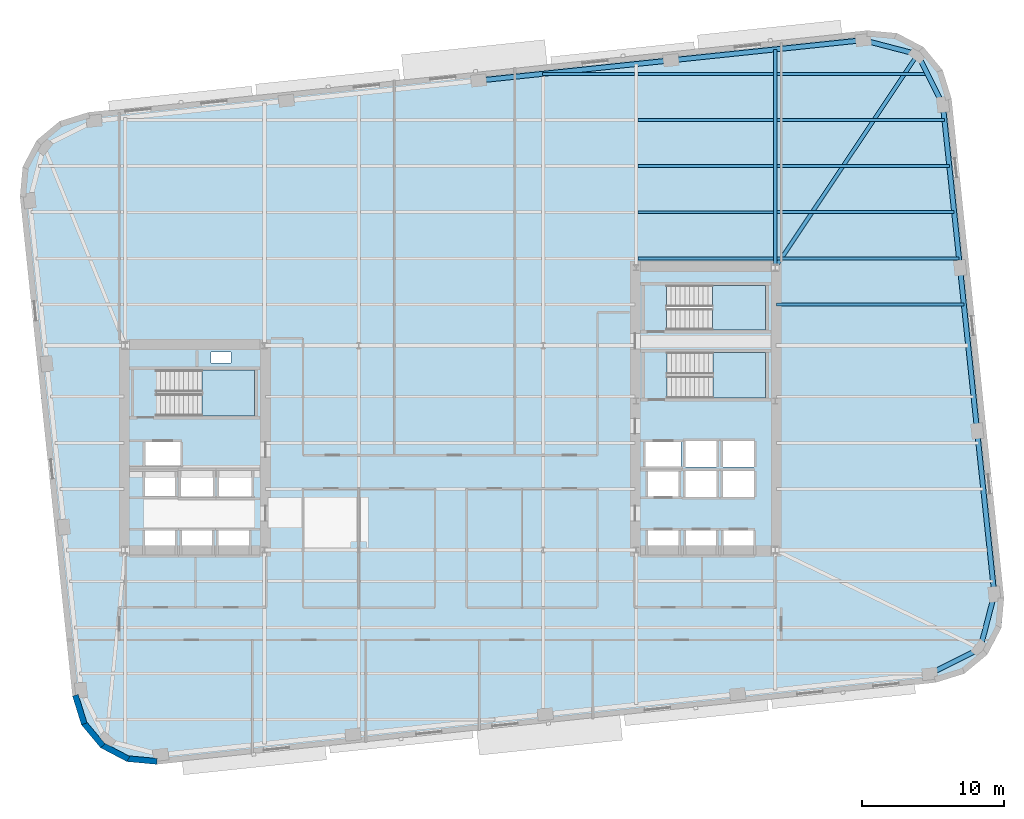
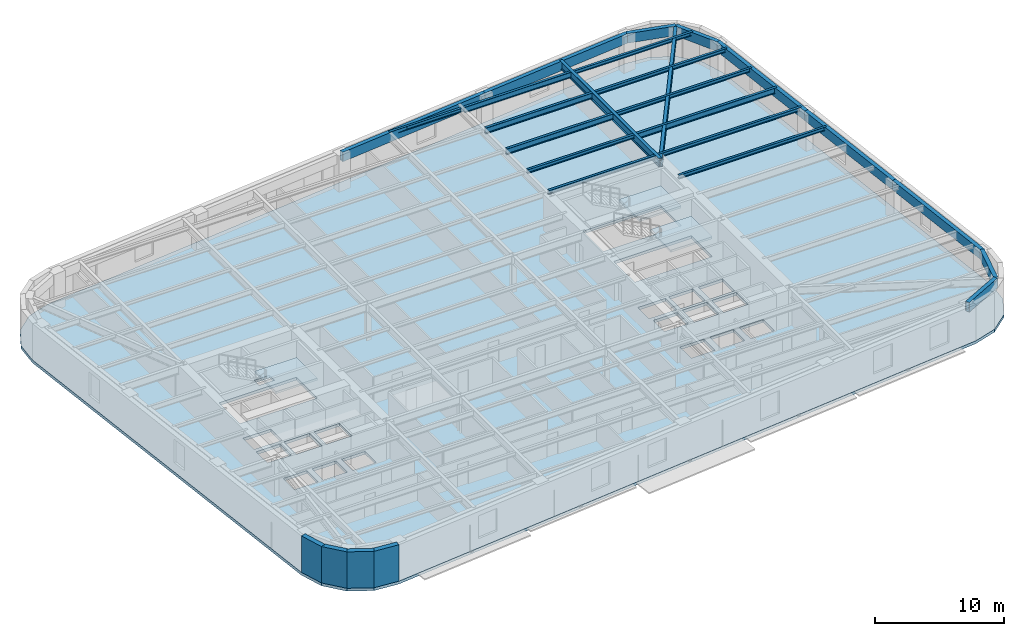
# One storey, part 3 of 11: 23 beams, 4 slabs, 4 walls, 3 elements without a shape of their own.
"""IFC4 building model written with IfcOpenShell, lengths in metres."""

from ifc_helpers import new_model, si_unit, direction, frame, frame_2d, origin, origin_2d, place, context, subcontext, project, spatial, polyline, rectangle, hollow_rectangle, i_section, outline, extrude, material, layer, layer_set, material_profile, profile_set, type_object, element, aggregate, save


model = new_model("IFC4")

# Units and contexts
model_context = context("Model", 3, precision=1e-05, world=origin(), true_north=direction((0.0, 1.0)))
body_context = subcontext(model_context, "Body", "Model", "MODEL_VIEW")
ifc_project = project(units=[si_unit("LENGTHUNIT", "METRE"), si_unit("AREAUNIT", "SQUARE_METRE"), si_unit("VOLUMEUNIT", "CUBIC_METRE"), si_unit("PLANEANGLEUNIT", "RADIAN"), si_unit("MASSUNIT", "GRAM", prefix="KILO")], contexts=[model_context])

# Site, building, storey
site_placement = place(None, origin())
site = spatial("IfcSite", under=ifc_project, at=site_placement, CompositionType="ELEMENT")
building_placement = place(site_placement, origin())
building = spatial("IfcBuilding", under=site, at=building_placement, Name="Kolvaren Arena Tower", CompositionType="ELEMENT")
storey_placement = place(building_placement, frame((0.0, 0.0, 122.199951171875)))
storey = spatial("IfcBuildingStorey", under=building, at=storey_placement, Name="L28", CompositionType="ELEMENT", Elevation=122.199951171875)

# Beams
ifc_material_1 = material(Name="Steel CSA G40.21 350W", Category="steel")
ifc_material_profile_1 = material_profile(ifc_material_1, i_section(OverallWidth=0.2119140625, OverallDepth=0.54296875, WebThickness=0.01318359375, FlangeThickness=0.0244140625, FilletRadius=0.013916015625, at=origin_2d()), Name="W530x150")
ifc_profile_set_1 = profile_set([ifc_material_profile_1], Name="Steel CSA G40.21 350W")
beam_type_1 = type_object("IfcBeamType", Name="BEAM-F1", PredefinedType="BEAM", material=ifc_profile_set_1)
beam_1_placement = place(storey_placement, frame((60.485107421875, 43.25, 3.16845703125), z_axis=(1.0, 0.0, 0.0), x_axis=(0.0, 1.0, 0.0)))
element("IfcBeam", 1, at=beam_1_placement, inside=storey, type_object=beam_type_1, Name="Composite Floor Beam (L28)", PredefinedType="BEAM", context=body_context, shape_type="SweptSolid", body=[
    extrude(i_section(OverallWidth=0.2119140625, OverallDepth=0.54296875, WebThickness=0.01318359375, FlangeThickness=0.0244140625, FilletRadius=0.013916015625, at=origin_2d()), origin(), (0.0, 0.0, 1.0), 12.471435546875),
])
for number, where, z_axis, x_axis, name in (
    (2, (50.68505859375, 46.5, 3.16845703125), (1.0, 0.0, 0.0), (0.0, 1.0, 0.0), "Composite Floor Beam (L28)"),
    (3, (50.68505859375, 49.75, 3.16845703125), (1.0, 0.0, 0.0), (0.0, 1.0, 0.0), "Composite Floor Beam (L28)"),
    (4, (50.68505859375, 53.0, 3.16845703125), (1.0, 0.0, 0.0), (0.0, 1.0, 0.0), "Composite Floor Beam (L28)"),
):
    element("IfcBeam", number, at=place(storey_placement, frame(where, z_axis=z_axis, x_axis=x_axis)), inside=storey, type_object=beam_type_1, Name=name, PredefinedType="BEAM", context=body_context, shape_type="SweptSolid", body=[
        extrude(i_section(OverallWidth=0.2119140625, OverallDepth=0.54296875, WebThickness=0.01318359375, FlangeThickness=0.0244140625, FilletRadius=0.013916015625, at=origin_2d()), origin(), (0.0, 0.0, 1.0), 9.530029296875),
    ])
ifc_material_profile_2 = material_profile(ifc_material_1, i_section(OverallWidth=0.27001953125, OverallDepth=0.77294921875, WebThickness=0.019287109375, FlangeThickness=0.033447265625, FilletRadius=0.01806640625, at=origin_2d()), Name="W760x257")
ifc_profile_set_2 = profile_set([ifc_material_profile_2], Name="Steel CSA G40.21 350W")
beam_type_2 = type_object("IfcBeamType", Name="GIRD-T1", PredefinedType="BEAM", material=ifc_profile_set_2)
beam_2_placement = place(storey_placement, frame((70.387939453125, 54.37939453125, 3.053466796875), z_axis=(-0.555401401293, -0.831582397266, 0.0), x_axis=(0.831582397266, -0.555401401293, 0.0)))
element("IfcBeam", 5, at=beam_2_placement, inside=storey, type_object=beam_type_2, Name="Corner Diagonal Tie Girder (L28)", PredefinedType="BEAM", context=body_context, shape_type="SweptSolid", body=[
    extrude(i_section(OverallWidth=0.27001953125, OverallDepth=0.77294921875, WebThickness=0.019287109375, FlangeThickness=0.033447265625, FilletRadius=0.01806640625, at=origin_2d()), origin(), (0.0, 0.0, 1.0), 18.0732421875),
])
beam_3_placement = place(storey_placement, frame((60.35009765625, 39.405029296875, 3.053466796875), z_axis=(0.0, 1.0, 0.0), x_axis=(-1.0, 0.0, 0.0)))
element("IfcBeam", 6, at=beam_3_placement, inside=storey, type_object=beam_type_2, Name="Primary Floor Girder (L28)", PredefinedType="BEAM", context=body_context, shape_type="SweptSolid", body=[
    extrude(i_section(OverallWidth=0.27001953125, OverallDepth=0.77294921875, WebThickness=0.019287109375, FlangeThickness=0.033447265625, FilletRadius=0.01806640625, at=origin_2d()), origin(), (0.0, 0.0, 1.0), 15.318359375),
])
ifc_material_profile_3 = material_profile(ifc_material_1, i_section(OverallWidth=0.202880859375, OverallDepth=0.346923828125, WebThickness=0.0078125, FlangeThickness=0.013427734375, FilletRadius=0.010986328125, at=origin_2d()), Name="W360x64")
ifc_profile_set_3 = profile_set([ifc_material_profile_3], Name="Steel CSA G40.21 350W")
beam_type_3 = type_object("IfcBeamType", Name="JOIST-01", PredefinedType="JOIST", material=ifc_profile_set_3)
beam_4_placement = place(storey_placement, frame((60.445068359375, 36.75, 3.2666015625), z_axis=(1.0, 0.0, 0.0), x_axis=(0.0, 1.0, 0.0)))
element("IfcBeam", 7, at=beam_4_placement, inside=storey, type_object=beam_type_3, Name="Composite Floor Joist (L28)", PredefinedType="JOIST", context=body_context, shape_type="SweptSolid", body=[
    extrude(i_section(OverallWidth=0.202880859375, OverallDepth=0.346923828125, WebThickness=0.0078125, FlangeThickness=0.013427734375, FilletRadius=0.010986328125, at=origin_2d()), origin(), (0.0, 0.0, 1.0), 13.19482421875),
])
beam_5_placement = place(storey_placement, frame((50.68505859375, 40.0, 3.2666015625), z_axis=(1.0, 0.0, 0.0), x_axis=(0.0, 1.0, 0.0)))
element("IfcBeam", 8, at=beam_5_placement, inside=storey, type_object=beam_type_3, Name="Composite Floor Joist (L28)", PredefinedType="JOIST", context=body_context, shape_type="SweptSolid", body=[
    extrude(i_section(OverallWidth=0.202880859375, OverallDepth=0.346923828125, WebThickness=0.0078125, FlangeThickness=0.013427734375, FilletRadius=0.010986328125, at=origin_2d()), origin(), (0.0, 0.0, 1.0), 9.530029296875),
])
beam_6_placement = place(storey_placement, frame((60.485107421875, 40.0, 3.2666015625), z_axis=(1.0, 0.0, 0.0), x_axis=(0.0, 1.0, 0.0)))
element("IfcBeam", 9, at=beam_6_placement, inside=storey, type_object=beam_type_3, Name="Composite Floor Joist (L28)", PredefinedType="JOIST", context=body_context, shape_type="SweptSolid", body=[
    extrude(i_section(OverallWidth=0.202880859375, OverallDepth=0.346923828125, WebThickness=0.0078125, FlangeThickness=0.013427734375, FilletRadius=0.010986328125, at=origin_2d()), origin(), (0.0, 0.0, 1.0), 12.81298828125),
])
beam_7_placement = place(storey_placement, frame((50.68505859375, 43.25, 3.2666015625), z_axis=(1.0, 0.0, 0.0), x_axis=(0.0, 1.0, 0.0)))
element("IfcBeam", 10, at=beam_7_placement, inside=storey, type_object=beam_type_3, Name="Composite Floor Joist (L28)", PredefinedType="JOIST", context=body_context, shape_type="SweptSolid", body=[
    extrude(i_section(OverallWidth=0.202880859375, OverallDepth=0.346923828125, WebThickness=0.0078125, FlangeThickness=0.013427734375, FilletRadius=0.010986328125, at=origin_2d()), origin(), (0.0, 0.0, 1.0), 9.530029296875),
])
beam_8_placement = place(storey_placement, frame((60.485107421875, 46.5, 3.2666015625), z_axis=(1.0, 0.0, 0.0), x_axis=(0.0, 1.0, 0.0)))
element("IfcBeam", 11, at=beam_8_placement, inside=storey, type_object=beam_type_3, Name="Composite Floor Joist (L28)", PredefinedType="JOIST", context=body_context, shape_type="SweptSolid", body=[
    extrude(i_section(OverallWidth=0.202880859375, OverallDepth=0.346923828125, WebThickness=0.0078125, FlangeThickness=0.013427734375, FilletRadius=0.010986328125, at=origin_2d()), origin(), (0.0, 0.0, 1.0), 12.1298828125),
])
beam_9_placement = place(storey_placement, frame((60.485107421875, 49.75, 3.2666015625), z_axis=(1.0, 0.0, 0.0), x_axis=(0.0, 1.0, 0.0)))
element("IfcBeam", 12, at=beam_9_placement, inside=storey, type_object=beam_type_3, Name="Composite Floor Joist (L28)", PredefinedType="JOIST", context=body_context, shape_type="SweptSolid", body=[
    extrude(i_section(OverallWidth=0.202880859375, OverallDepth=0.346923828125, WebThickness=0.0078125, FlangeThickness=0.013427734375, FilletRadius=0.010986328125, at=origin_2d()), origin(), (0.0, 0.0, 1.0), 11.788330078125),
])
beam_10_placement = place(storey_placement, frame((43.95361328125, 53.0, 3.2666015625), z_axis=(1.0, 0.0, 0.0), x_axis=(0.0, 1.0, 0.0)))
element("IfcBeam", 13, at=beam_10_placement, inside=storey, type_object=beam_type_3, Name="Composite Floor Joist (L28)", PredefinedType="JOIST", context=body_context, shape_type="SweptSolid", body=[
    extrude(i_section(OverallWidth=0.202880859375, OverallDepth=0.346923828125, WebThickness=0.0078125, FlangeThickness=0.013427734375, FilletRadius=0.010986328125, at=origin_2d()), origin(), (0.0, 0.0, 1.0), 6.46142578125),
])
beam_11_placement = place(storey_placement, frame((60.485107421875, 53.0, 3.2666015625), z_axis=(1.0, 0.0, 0.0), x_axis=(0.0, 1.0, 0.0)))
element("IfcBeam", 14, at=beam_11_placement, inside=storey, type_object=beam_type_3, Name="Composite Floor Joist (L28)", PredefinedType="JOIST", context=body_context, shape_type="SweptSolid", body=[
    extrude(i_section(OverallWidth=0.202880859375, OverallDepth=0.346923828125, WebThickness=0.0078125, FlangeThickness=0.013427734375, FilletRadius=0.010986328125, at=origin_2d()), origin(), (0.0, 0.0, 1.0), 10.592529296875),
])
ifc_material_2 = material(Name="Steel CSA G40.21 350WT", Category="steel")
ifc_material_profile_4 = material_profile(ifc_material_2, hollow_rectangle(XDim=0.35009765625, YDim=0.89990234375, WallThickness=0.02001953125, at=origin_2d()), Name="HSS 900x350x20")
ifc_profile_set_4 = profile_set([ifc_material_profile_4], Name="Steel CSA G40.21 350WT")
beam_type_4 = type_object("IfcBeamType", Name="SPAND-01", PredefinedType="SPANDREL", material=ifc_profile_set_4)
for number, where, z_axis, x_axis, name in (
    (15, (71.247314453125, 10.721435546875, 2.989990234375), (0.894451843771, 0.44716428656, 0.0), (-0.44716428656, 0.894451843771, 0.0), "Perimeter Spandrel Beam (L28)"),
    (16, (74.790283203125, 12.49267578125, 2.989990234375), (0.251473350892, 0.967864222808, 0.0), (-0.967864222808, 0.251473350892, 0.0), "Perimeter Spandrel Beam (L28)"),
):
    element("IfcBeam", number, at=place(storey_placement, frame(where, z_axis=z_axis, x_axis=x_axis)), inside=storey, type_object=beam_type_4, Name=name, PredefinedType="SPANDREL", context=body_context, shape_type="SweptSolid", body=[
        extrude(hollow_rectangle(XDim=0.35009765625, YDim=0.89990234375, WallThickness=0.02001953125, at=origin_2d()), origin(), (0.0, 0.0, 1.0), 3.9609375),
    ])
beam_12_placement = place(storey_placement, frame((75.786376953125, 16.326416015625, 2.989990234375), z_axis=(-0.104522171998, 0.994522556587, 0.0), x_axis=(-0.994522556587, -0.104522171998, 0.0)))
element("IfcBeam", 17, at=beam_12_placement, inside=storey, type_object=beam_type_4, Name="Perimeter Spandrel Beam (L28)", PredefinedType="SPANDREL", context=body_context, shape_type="SweptSolid", body=[
    extrude(hollow_rectangle(XDim=0.35009765625, YDim=0.89990234375, WallThickness=0.02001953125, at=origin_2d()), origin(), (0.0, 0.0, 1.0), 11.56689453125),
])
beam_13_placement = place(storey_placement, frame((74.577392578125, 27.829833984375, 2.989990234375), z_axis=(-0.104524366116, 0.994522325988, 0.0), x_axis=(-0.994522325988, -0.104524366116, 0.0)))
element("IfcBeam", 18, at=beam_13_placement, inside=storey, type_object=beam_type_4, Name="Perimeter Spandrel Beam (L28)", PredefinedType="SPANDREL", context=body_context, shape_type="SweptSolid", body=[
    extrude(hollow_rectangle(XDim=0.35009765625, YDim=0.89990234375, WallThickness=0.02001953125, at=origin_2d()), origin(), (0.0, 0.0, 1.0), 11.566650390625),
])
beam_14_placement = place(storey_placement, frame((73.368408203125, 39.3330078125, 2.989990234375), z_axis=(-0.104543048399, 0.994520362301, 0.0), x_axis=(-0.994520362301, -0.104543048399, 0.0)))
element("IfcBeam", 19, at=beam_14_placement, inside=storey, type_object=beam_type_4, Name="Perimeter Spandrel Beam (L28)", PredefinedType="SPANDREL", context=body_context, shape_type="SweptSolid", body=[
    extrude(hollow_rectangle(XDim=0.35009765625, YDim=0.89990234375, WallThickness=0.02001953125, at=origin_2d()), origin(), (0.0, 0.0, 1.0), 11.56689453125),
])
for number, where, z_axis, x_axis, name in (
    (20, (72.1591796875, 50.83642578125, 2.989990234375), (-0.44716428656, 0.894451843771, 0.0), (-0.894451843771, -0.44716428656, 0.0), "Perimeter Spandrel Beam (L28)"),
    (21, (70.387939453125, 54.37939453125, 2.989990234375), (-0.967864222808, 0.251473350892, 0.0), (-0.251473350892, -0.967864222808, 0.0), "Perimeter Spandrel Beam (L28)"),
):
    element("IfcBeam", number, at=place(storey_placement, frame(where, z_axis=z_axis, x_axis=x_axis)), inside=storey, type_object=beam_type_4, Name=name, PredefinedType="SPANDREL", context=body_context, shape_type="SweptSolid", body=[
        extrude(hollow_rectangle(XDim=0.35009765625, YDim=0.89990234375, WallThickness=0.02001953125, at=origin_2d()), origin(), (0.0, 0.0, 1.0), 3.9609375),
    ])
beam_15_placement = place(storey_placement, frame((66.55419921875, 55.37548828125, 2.989990234375), z_axis=(-0.994521150946, -0.104535545729, 0.0), x_axis=(0.104535545729, -0.994521150946, 0.0)))
element("IfcBeam", 22, at=beam_15_placement, inside=storey, type_object=beam_type_4, Name="Perimeter Spandrel Beam (L28)", PredefinedType="SPANDREL", context=body_context, shape_type="SweptSolid", body=[
    extrude(hollow_rectangle(XDim=0.35009765625, YDim=0.89990234375, WallThickness=0.02001953125, at=origin_2d()), origin(), (0.0, 0.0, 1.0), 13.625244140625),
])
beam_16_placement = place(storey_placement, frame((53.003662109375, 53.951171875, 2.989990234375), z_axis=(-0.994522817887, -0.104519685718, 0.0), x_axis=(0.104519685718, -0.994522817887, 0.0)))
element("IfcBeam", 23, at=beam_16_placement, inside=storey, type_object=beam_type_4, Name="Perimeter Spandrel Beam (L28)", PredefinedType="SPANDREL", context=body_context, shape_type="SweptSolid", body=[
    extrude(hollow_rectangle(XDim=0.35009765625, YDim=0.89990234375, WallThickness=0.02001953125, at=origin_2d()), origin(), (0.0, 0.0, 1.0), 13.625),
])

# Stair, slab
ifc_material_3 = material(Name="Concrete 45 MPa", Category="concrete")
stair_type_1 = type_object("IfcStairType", Name="STAIR-CORE-165", PredefinedType="HALF_TURN_STAIR", material=ifc_material_3)
stair_1_placement = place(storey_placement, origin())
stair_1 = element("IfcStair", 24, at=stair_1_placement, inside=storey, type_object=stair_type_1, Name="L28 ST-W1", PredefinedType="HALF_TURN_STAIR")
ifc_layer_1 = layer(ifc_material_3, 0.199951171875)
ifc_layer_set_1 = layer_set([ifc_layer_1], Name="Concrete 45 MPa")
slab_type_1 = type_object("IfcSlabType", Name="SLAB-LAND", PredefinedType="LANDING", material=ifc_layer_set_1)
slab_1_placement = place(storey_placement, frame((0.0, 0.0, 1.675048828125)))
slab_1 = element("IfcSlab", 25, at=slab_1_placement, type_object=slab_type_1, Name="ST-W1 landing 1", PredefinedType="LANDING", context=body_context, shape_type="SweptSolid", body=[
    extrude(outline(polyline([(19.9599609375, 28.89990234375), (23.659912109375, 28.89990234375), (23.659912109375, 32.1298828125), (19.9599609375, 32.1298828125), (19.9599609375, 28.89990234375)])), origin(), (0.0, 0.0, 1.0), 0.199951171875),
])
aggregate(stair_1, [slab_1])

stair_2_placement = place(storey_placement, origin())
stair_2 = element("IfcStair", 26, at=stair_2_placement, inside=storey, type_object=stair_type_1, Name="L28 ST-E1", PredefinedType="HALF_TURN_STAIR")
slab_2_placement = place(storey_placement, frame((0.0, 0.0, 1.675048828125)))
slab_2 = element("IfcSlab", 27, at=slab_2_placement, type_object=slab_type_1, Name="ST-E1 landing 1", PredefinedType="LANDING", context=body_context, shape_type="SweptSolid", body=[
    extrude(outline(polyline([(55.9599609375, 30.14990234375), (59.659912109375, 30.14990234375), (59.659912109375, 33.3798828125), (55.9599609375, 33.3798828125), (55.9599609375, 30.14990234375)])), origin(), (0.0, 0.0, 1.0), 0.199951171875),
])
aggregate(stair_2, [slab_2])

stair_type_2 = type_object("IfcStairType", Name="STAIR-CORE-150", PredefinedType="HALF_TURN_STAIR", material=ifc_material_3)
stair_3_placement = place(storey_placement, origin())
stair_3 = element("IfcStair", 28, at=stair_3_placement, inside=storey, type_object=stair_type_2, Name="L28 ST-E2", PredefinedType="HALF_TURN_STAIR")
slab_3_placement = place(storey_placement, frame((0.0, 0.0, 1.675048828125)))
slab_3 = element("IfcSlab", 29, at=slab_3_placement, type_object=slab_type_1, Name="ST-E2 landing 1", PredefinedType="LANDING", context=body_context, shape_type="SweptSolid", body=[
    extrude(outline(polyline([(55.919921875, 34.949951171875), (59.659912109375, 34.949951171875), (59.659912109375, 38.10009765625), (55.919921875, 38.10009765625), (55.919921875, 34.949951171875)])), origin(), (0.0, 0.0, 1.0), 0.199951171875),
])
aggregate(stair_3, [slab_3])

# Slab
ifc_layer_2 = layer(ifc_material_3, 0.27001953125)
ifc_layer_set_2 = layer_set([ifc_layer_2], Name="Concrete 45 MPa")
slab_type_2 = type_object("IfcSlabType", Name="SLAB-OFF2", PredefinedType="FLOOR", material=ifc_layer_set_2)
slab_4_placement = place(storey_placement, frame((0.0, 0.0, -0.27001953125)))
element("IfcSlab", 30, at=slab_4_placement, inside=storey, type_object=slab_type_2, Name="L28 Primary Structural Slab", PredefinedType="FLOOR", context=body_context, shape_type="SweptSolid", body=[
    extrude(outline(polyline([(71.663330078125, 10.111572265625), (73.675537109375, 10.736328125), (75.29541015625, 12.08349609375), (76.276611328125, 13.9482421875), (76.469482421875, 16.04638671875), (72.76904296875, 51.25244140625), (72.144287109375, 53.2646484375), (70.797119140625, 54.884521484375), (68.932373046875, 55.865478515625), (66.834228515625, 56.058349609375), (11.9365234375, 50.28857421875), (9.92431640625, 49.663818359375), (8.304443359375, 48.31640625), (7.323486328125, 46.45166015625), (7.130615234375, 44.353515625), (10.830810546875, 9.1474609375), (11.455810546875, 7.13525390625), (12.802978515625, 5.515380859375), (14.667724609375, 4.534423828125), (16.765869140625, 4.341552734375), (71.663330078125, 10.111572265625)]), holes=[polyline([(15.93505859375, 19.0849609375), (15.93505859375, 20.81494140625), (18.06494140625, 20.81494140625), (18.06494140625, 19.0849609375), (15.93505859375, 19.0849609375)]), polyline([(18.534912109375, 19.0849609375), (18.534912109375, 20.81494140625), (20.6650390625, 20.81494140625), (20.6650390625, 19.0849609375), (18.534912109375, 19.0849609375)]), polyline([(21.135009765625, 19.0849609375), (21.135009765625, 20.81494140625), (23.264892578125, 20.81494140625), (23.264892578125, 19.0849609375), (21.135009765625, 19.0849609375)]), polyline([(51.39501953125, 19.0849609375), (51.39501953125, 20.81494140625), (53.52490234375, 20.81494140625), (53.52490234375, 19.0849609375), (51.39501953125, 19.0849609375)]), polyline([(54.054931640625, 19.0849609375), (54.054931640625, 20.81494140625), (56.18505859375, 20.81494140625), (56.18505859375, 19.0849609375), (54.054931640625, 19.0849609375)]), polyline([(56.695068359375, 19.0849609375), (56.695068359375, 20.81494140625), (58.824951171875, 20.81494140625), (58.824951171875, 19.0849609375), (56.695068359375, 19.0849609375)]), polyline([(18.4599609375, 25.06494140625), (20.739990234375, 25.06494140625), (20.739990234375, 23.135009765625), (18.4599609375, 23.135009765625), (18.4599609375, 25.06494140625)]), polyline([(21.159912109375, 23.135009765625), (21.159912109375, 25.06494140625), (23.43994140625, 25.06494140625), (23.43994140625, 23.135009765625), (21.159912109375, 23.135009765625)]), polyline([(54.030029296875, 25.014892578125), (56.2099609375, 25.014892578125), (56.2099609375, 23.18505859375), (54.030029296875, 23.18505859375), (54.030029296875, 25.014892578125)]), polyline([(56.669921875, 25.014892578125), (58.85009765625, 25.014892578125), (58.85009765625, 23.18505859375), (56.669921875, 23.18505859375), (56.669921875, 25.014892578125)]), polyline([(15.93505859375, 24.965087890625), (18.06494140625, 24.965087890625), (18.06494140625, 23.235107421875), (15.93505859375, 23.235107421875), (15.93505859375, 24.965087890625)]), polyline([(51.39501953125, 23.235107421875), (51.39501953125, 24.965087890625), (53.52490234375, 24.965087890625), (53.52490234375, 23.235107421875), (51.39501953125, 23.235107421875)]), polyline([(54.030029296875, 25.284912109375), (54.030029296875, 27.114990234375), (56.2099609375, 27.114990234375), (56.2099609375, 25.284912109375), (54.030029296875, 25.284912109375)]), polyline([(56.669921875, 25.284912109375), (56.669921875, 27.114990234375), (58.85009765625, 27.114990234375), (58.85009765625, 25.284912109375), (56.669921875, 25.284912109375)]), polyline([(15.9599609375, 25.3349609375), (15.9599609375, 27.06494140625), (18.43994140625, 27.06494140625), (18.43994140625, 25.3349609375), (15.9599609375, 25.3349609375)]), polyline([(51.219970703125, 25.3349609375), (51.219970703125, 27.06494140625), (53.699951171875, 27.06494140625), (53.699951171875, 25.3349609375), (51.219970703125, 25.3349609375)]), polyline([(16.735107421875, 32.1298828125), (23.659912109375, 32.1298828125), (23.659912109375, 28.89990234375), (16.735107421875, 28.89990234375), (16.735107421875, 32.1298828125)]), polyline([(52.735107421875, 33.3798828125), (59.659912109375, 33.3798828125), (59.659912109375, 30.14990234375), (52.735107421875, 30.14990234375), (52.735107421875, 33.3798828125)]), polyline([(20.60009765625, 33.39990234375), (22.0, 33.39990234375), (22.0, 32.6201171875), (20.60009765625, 32.6201171875), (20.60009765625, 33.39990234375)]), polyline([(52.695068359375, 38.10009765625), (59.659912109375, 38.10009765625), (59.659912109375, 34.949951171875), (52.695068359375, 34.949951171875), (52.695068359375, 38.10009765625)])]), origin(), (0.0, 0.0, 1.0), 0.27001953125),
])

# Walls
ifc_material_4 = material(Name="Precast concrete C50/60", Category="concrete")
ifc_layer_3 = layer(ifc_material_4, 0.419921875)
ifc_layer_set_3 = layer_set([ifc_layer_3], Name="Precast concrete C50/60")
wall_type = type_object("IfcWallType", Name="EXT-PIER1", PredefinedType="SOLIDWALL", material=ifc_layer_set_3)
for number, where, z_axis, x_axis, name in (
    (31, (11.65625, 7.197509765625, 0.0), (0.0, 0.0, 1.0), (-0.296519484366, 0.955026803494, 0.0), "Exterior Precast Masonry-Frame Wall (L28)"),
    (32, (12.964599609375, 5.649658203125, 0.0), (0.0, 0.0, 1.0), (-0.639488914921, 0.768800317178, 0.0), "Exterior Precast Masonry-Frame Wall (L28)"),
    (33, (14.765380859375, 4.72021484375, 0.0), (0.0, 0.0, 1.0), (-0.884940843444, 0.465703450282, 0.0), "Exterior Precast Masonry-Frame Wall (L28)"),
):
    element("IfcWall", number, at=place(storey_placement, frame(where, z_axis=z_axis, x_axis=x_axis)), inside=storey, type_object=wall_type, Name=name, PredefinedType="SOLIDWALL", context=body_context, shape_type="SweptSolid", body=[
        extrude(rectangle(XDim=2.10693359375, YDim=0.419921875, at=frame_2d((1.053466796875, 0.0))), origin(), (0.0, 0.0, 1.0), 3.43994140625),
    ])
wall_placement = place(storey_placement, frame((16.784912109375, 4.55078125, 0.0), z_axis=(0.0, 0.0, 1.0), x_axis=(-0.995811110714, 0.091434303078, 0.0)))
element("IfcWall", 34, at=wall_placement, inside=storey, type_object=wall_type, Name="Exterior Precast Masonry-Frame Wall (L28)", PredefinedType="SOLIDWALL", context=body_context, shape_type="SweptSolid", body=[
    extrude(rectangle(XDim=2.106689453125, YDim=0.419921875, at=frame_2d((1.05322265625, 0.0))), origin(), (0.0, 0.0, 1.0), 3.43994140625),
])

save(model, "model.ifc")
